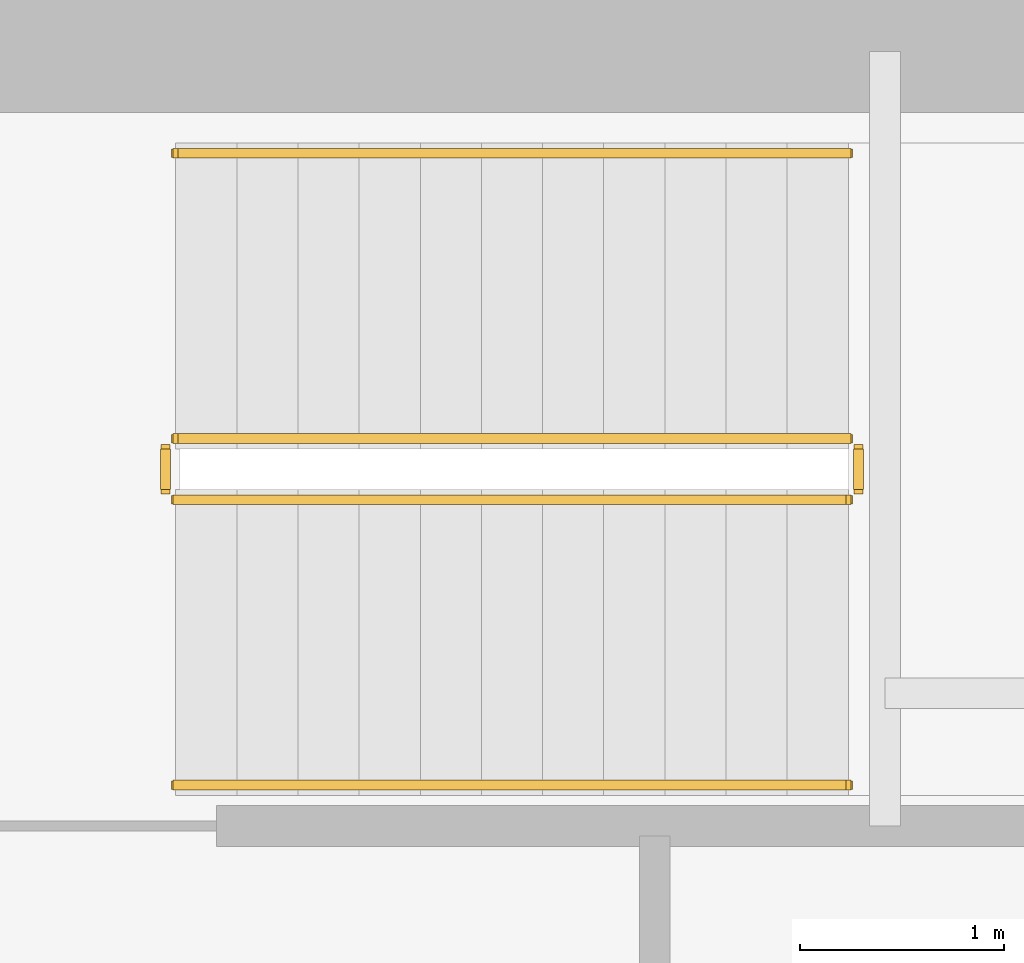
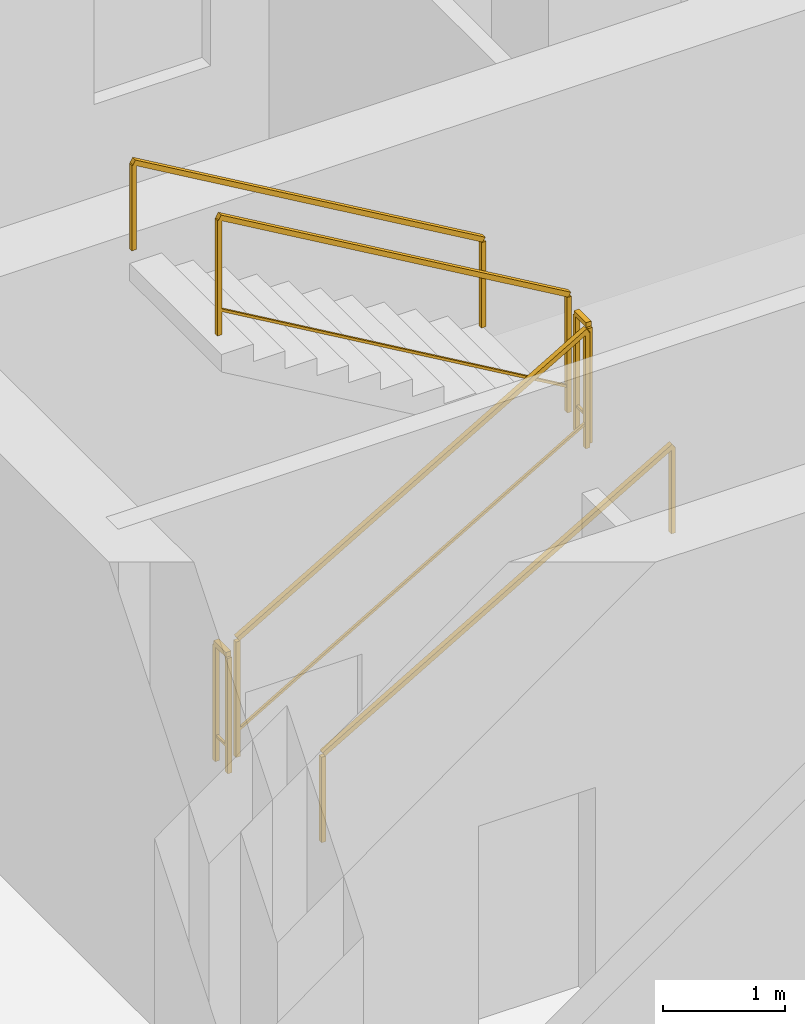
# One storey, part 10 of 11: 6 railings.
"""IFC4 building model written with IfcOpenShell, lengths in metres."""

from ifc_helpers import new_model, si_unit, direction, frame, origin, origin_2d, place, context, subcontext, project, spatial, rectangle, extrude, material, type_object, element, save


model = new_model("IFC4")

# Units and contexts
model_context = context("Model", 3, precision=1e-05, world=origin(), true_north=direction((0.0, 1.0)))
body_context = subcontext(model_context, "Body", "Model", "MODEL_VIEW")
ifc_project = project(units=[si_unit("LENGTHUNIT", "METRE"), si_unit("AREAUNIT", "SQUARE_METRE"), si_unit("VOLUMEUNIT", "CUBIC_METRE"), si_unit("PLANEANGLEUNIT", "RADIAN"), si_unit("MASSUNIT", "GRAM", prefix="KILO")], contexts=[model_context])

# Site, building, storey
site_placement = place(None, origin())
site = spatial("IfcSite", under=ifc_project, at=site_placement, CompositionType="ELEMENT")
building_placement = place(site_placement, origin())
building = spatial("IfcBuilding", under=site, at=building_placement, Name="Svetorya Sky Lyceum", CompositionType="ELEMENT")
storey_placement = place(building_placement, frame((0.0, 0.0, 24.60009765625)))
storey = spatial("IfcBuildingStorey", under=building, at=storey_placement, Name="L05", CompositionType="ELEMENT", Elevation=24.60009765625)

# Railings
ifc_material_1 = material(Name="Painted galvanized stair well guard")
railing_type_1 = type_object("IfcRailingType", Name="RL-STR-GUARD-1200", PredefinedType="GUARDRAIL", material=ifc_material_1)
railing_1_placement = place(storey_placement, frame((27.699951171875, 43.60009765625, 0.1748046875)))
element("IfcRailing", 1, at=railing_1_placement, inside=storey, type_object=railing_type_1, Name="L05 ST-N stair guard 1", PredefinedType="GUARDRAIL", context=body_context, shape_type="SweptSolid", body=[
    extrude(rectangle(XDim=0.048095703125, YDim=0.048095703125, at=origin_2d()), frame((0.0, 0.0, 1.17578125), z_axis=(0.863776583165, 0.0, 0.503874998761), x_axis=(0.0, 1.0, 0.0)), (0.0, 0.0, 1.0), 3.820556640625),
    extrude(rectangle(XDim=0.02392578125, YDim=0.02392578125, at=origin_2d()), frame((0.0, 0.0, 0.25), z_axis=(0.863776583165, 0.0, 0.503874998761), x_axis=(0.0, 1.0, 0.0)), (0.0, 0.0, 1.0), 3.820556640625),
    extrude(rectangle(XDim=0.0419921875, YDim=0.0419921875, at=origin_2d()), origin(), (0.0, 0.0, 1.0), 1.15185546875),
    extrude(rectangle(XDim=0.0419921875, YDim=0.0419921875, at=origin_2d()), frame((3.300048828125, 0.0, 1.925048828125)), (0.0, 0.0, 1.0), 1.15185546875),
])
railing_2_placement = place(storey_placement, frame((31.050048828125, 43.64990234375, 2.099853515625)))
element("IfcRailing", 2, at=railing_2_placement, inside=storey, type_object=railing_type_1, Name="L05 ST-N stair guard 2", PredefinedType="GUARDRAIL", context=body_context, shape_type="SweptSolid", body=[
    extrude(rectangle(XDim=0.048095703125, YDim=0.048095703125, at=origin_2d()), frame((0.0, 0.0, 1.17578125), z_axis=(0.0, 1.0, 0.0), x_axis=(-1.0, 0.0, 0.0)), (0.0, 0.0, 1.0), 0.2001953125),
    extrude(rectangle(XDim=0.02392578125, YDim=0.02392578125, at=origin_2d()), frame((0.0, 0.0, 0.25), z_axis=(0.0, 1.0, 0.0), x_axis=(-1.0, 0.0, 0.0)), (0.0, 0.0, 1.0), 0.2001953125),
    extrude(rectangle(XDim=0.0419921875, YDim=0.0419921875, at=origin_2d()), origin(), (0.0, 0.0, 1.0), 1.15185546875),
    extrude(rectangle(XDim=0.0419921875, YDim=0.0419921875, at=origin_2d()), frame((0.0, 0.2001953125, 0.0)), (0.0, 0.0, 1.0), 1.15185546875),
])
railing_3_placement = place(storey_placement, frame((31.0, 43.89990234375, 2.27490234375)))
element("IfcRailing", 3, at=railing_3_placement, inside=storey, type_object=railing_type_1, Name="L05 ST-N stair guard 3", PredefinedType="GUARDRAIL", context=body_context, shape_type="SweptSolid", body=[
    extrude(rectangle(XDim=0.048095703125, YDim=0.048095703125, at=origin_2d()), frame((0.0, 0.0, 1.17578125), z_axis=(-0.863776583165, 0.0, 0.503874998761), x_axis=(0.0, -1.0, 0.0)), (0.0, 0.0, 1.0), 3.820556640625),
    extrude(rectangle(XDim=0.02392578125, YDim=0.02392578125, at=origin_2d()), frame((0.0, 0.0, 0.25), z_axis=(-0.863776583165, 0.0, 0.503874998761), x_axis=(0.0, -1.0, 0.0)), (0.0, 0.0, 1.0), 3.820556640625),
    extrude(rectangle(XDim=0.0419921875, YDim=0.0419921875, at=origin_2d()), origin(), (0.0, 0.0, 1.0), 1.15185546875),
    extrude(rectangle(XDim=0.0419921875, YDim=0.0419921875, at=origin_2d()), frame((-3.300048828125, 0.0, 1.925048828125)), (0.0, 0.0, 1.0), 1.15185546875),
])
railing_4_placement = place(storey_placement, frame((27.64990234375, 43.64990234375, 0.0)))
element("IfcRailing", 4, at=railing_4_placement, inside=storey, type_object=railing_type_1, Name="L05 ST-N stair guard 4", PredefinedType="GUARDRAIL", context=body_context, shape_type="SweptSolid", body=[
    extrude(rectangle(XDim=0.048095703125, YDim=0.048095703125, at=origin_2d()), frame((0.0, 0.0, 1.17578125), z_axis=(0.0, 1.0, 0.0), x_axis=(-1.0, 0.0, 0.0)), (0.0, 0.0, 1.0), 0.2001953125),
    extrude(rectangle(XDim=0.02392578125, YDim=0.02392578125, at=origin_2d()), frame((0.0, 0.0, 0.25), z_axis=(0.0, 1.0, 0.0), x_axis=(-1.0, 0.0, 0.0)), (0.0, 0.0, 1.0), 0.2001953125),
    extrude(rectangle(XDim=0.0419921875, YDim=0.0419921875, at=origin_2d()), origin(), (0.0, 0.0, 1.0), 1.15185546875),
    extrude(rectangle(XDim=0.0419921875, YDim=0.0419921875, at=origin_2d()), frame((0.0, 0.2001953125, 0.0)), (0.0, 0.0, 1.0), 1.15185546875),
])
ifc_material_2 = material(Name="Brushed stainless AISI 304 stair handrail")
railing_type_2 = type_object("IfcRailingType", Name="RL-STR-HAND-920", PredefinedType="HANDRAIL", material=ifc_material_2)
railing_5_placement = place(storey_placement, frame((27.699951171875, 42.199951171875, 0.1748046875)))
element("IfcRailing", 5, at=railing_5_placement, inside=storey, type_object=railing_type_2, Name="L05 ST-N stair handrail 1", PredefinedType="HANDRAIL", context=body_context, shape_type="SweptSolid", body=[
    extrude(rectangle(XDim=0.048095703125, YDim=0.048095703125, at=origin_2d()), frame((0.0, 0.0, 0.8759765625), z_axis=(0.863776583165, 0.0, 0.503874998761), x_axis=(0.0, 1.0, 0.0)), (0.0, 0.0, 1.0), 3.820556640625),
    extrude(rectangle(XDim=0.0419921875, YDim=0.0419921875, at=origin_2d()), origin(), (0.0, 0.0, 1.0), 0.851806640625),
    extrude(rectangle(XDim=0.0419921875, YDim=0.0419921875, at=origin_2d()), frame((3.300048828125, 0.0, 1.925048828125)), (0.0, 0.0, 1.0), 0.851806640625),
])
railing_6_placement = place(storey_placement, frame((31.0, 45.300048828125, 2.27490234375)))
element("IfcRailing", 6, at=railing_6_placement, inside=storey, type_object=railing_type_2, Name="L05 ST-N stair handrail 2", PredefinedType="HANDRAIL", context=body_context, shape_type="SweptSolid", body=[
    extrude(rectangle(XDim=0.048095703125, YDim=0.048095703125, at=origin_2d()), frame((0.0, 0.0, 0.8759765625), z_axis=(-0.863776583165, 0.0, 0.503874998761), x_axis=(0.0, -1.0, 0.0)), (0.0, 0.0, 1.0), 3.820556640625),
    extrude(rectangle(XDim=0.0419921875, YDim=0.0419921875, at=origin_2d()), origin(), (0.0, 0.0, 1.0), 0.851806640625),
    extrude(rectangle(XDim=0.0419921875, YDim=0.0419921875, at=origin_2d()), frame((-3.300048828125, 0.0, 1.925048828125)), (0.0, 0.0, 1.0), 0.851806640625),
])

save(model, "model.ifc")
